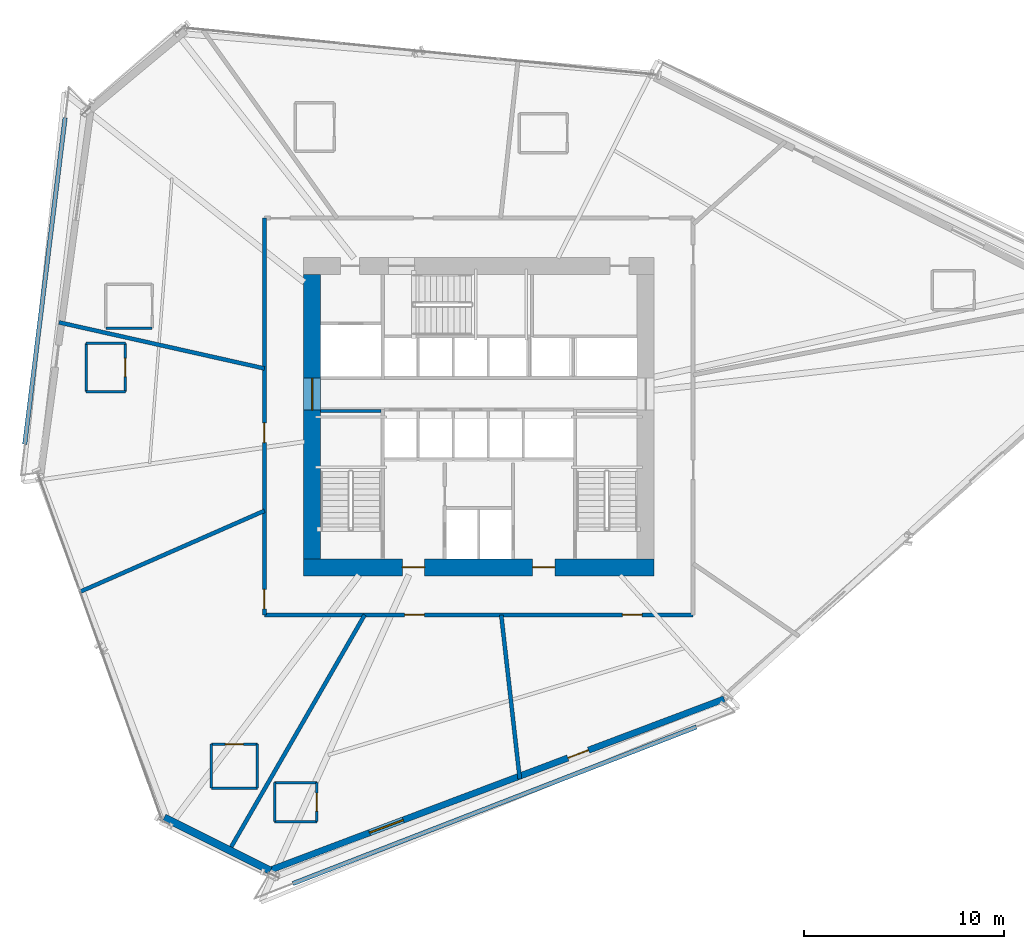
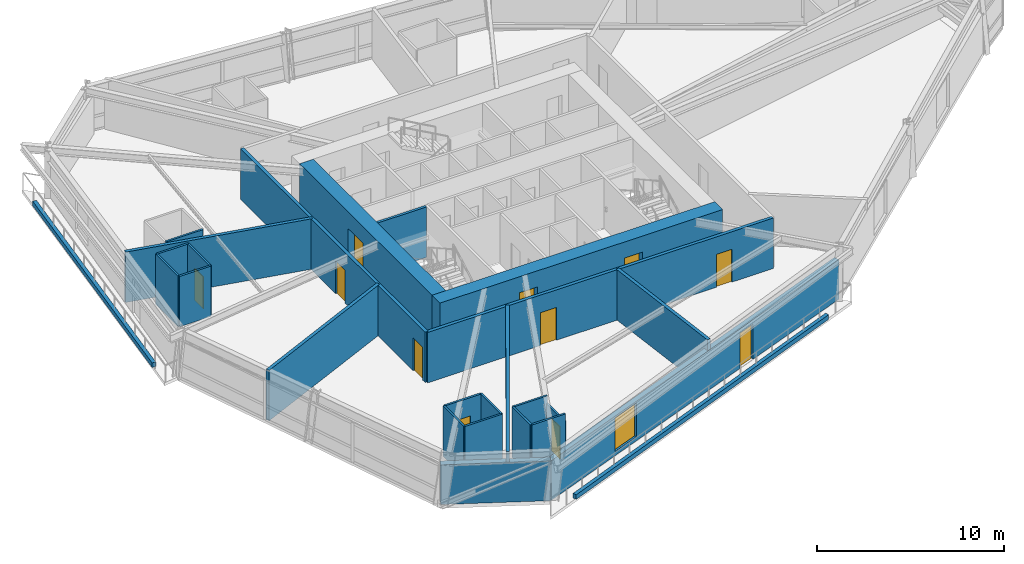
# One storey, part 17 of 24: 26 walls, 11 doors, 1 window, 12 openings.
"""IFC4 building model written with IfcOpenShell, lengths in metres."""

from ifc_helpers import new_model, si_unit, direction, frame, frame_2d, origin, place, context, subcontext, project, spatial, rectangle, extrude, source, transform, mapped, material, layer, layer_set, type_object, type_shapes, element, fill, save


model = new_model("IFC4")

# Units and contexts
model_context = context("Model", 3, precision=1e-05, world=origin(), true_north=direction((0.0, 1.0)))
body_context = subcontext(model_context, "Body", "Model", "MODEL_VIEW")
ifc_project = project(units=[si_unit("LENGTHUNIT", "METRE"), si_unit("AREAUNIT", "SQUARE_METRE"), si_unit("VOLUMEUNIT", "CUBIC_METRE"), si_unit("PLANEANGLEUNIT", "RADIAN"), si_unit("MASSUNIT", "GRAM", prefix="KILO")], contexts=[model_context])

# Site, building, storey
site_placement = place(None, origin())
site = spatial("IfcSite", under=ifc_project, at=site_placement, CompositionType="ELEMENT")
building_placement = place(site_placement, origin())
building = spatial("IfcBuilding", under=site, at=building_placement, Name="Olszyna Solenne Hotel", CompositionType="ELEMENT")
storey_placement = place(building_placement, frame((0.0, 0.0, 64.800048828125)))
storey = spatial("IfcBuildingStorey", under=building, at=storey_placement, Name="L16", CompositionType="ELEMENT", Elevation=64.800048828125)

# Wall, openings, doors
ifc_material_1 = material(Name="Concrete C60/75", Category="concrete")
ifc_layer_1 = layer(ifc_material_1, 0.85009765625, Name="Concrete C60/75")
ifc_layer_set_1 = layer_set([ifc_layer_1], Name="Concrete C60/75")
wall_type_1 = type_object("IfcWallType", Name="WL-CR850", PredefinedType="SHEAR", material=ifc_layer_set_1)
wall_1_placement = place(storey_placement, frame((46.75, 19.074951171875, 0.0), z_axis=(0.0, 0.0, 1.0), x_axis=(-1.0, 0.0, 0.0)))
wall_1 = element("IfcWall", 1, at=wall_1_placement, inside=storey, type_object=wall_type_1, Name="Core shear wall WL-CR850 CRW-L16-S", PredefinedType="SHEAR", context=body_context, shape_type="SweptSolid", body=[
    extrude(rectangle(XDim=17.5, YDim=0.85009765625, at=frame_2d((8.75, 0.0))), origin(), (0.0, 0.0, 1.0), 3.300048828125),
])
opening_1_placement = place(wall_1_placement, frame((4.949951171875, 0.0, 0.0)))
opening_1 = element("IfcOpeningElement", 2, at=opening_1_placement, cuts=wall_1, Name="Opening FL-L16-1", PredefinedType="OPENING", context=body_context, shape_type="SweptSolid", body=[
    extrude(rectangle(XDim=1.1201171875, YDim=2.25, at=frame_2d((0.56005859375, 1.125))), frame((0.0, 0.43505859375, 0.0), z_axis=(0.0, -1.0, 0.0), x_axis=(1.0, 0.0, 0.0)), (0.0, 0.0, 1.0), 0.8701171875),
])
opening_2_placement = place(wall_1_placement, frame((11.449951171875, 0.0, 0.0)))
opening_2 = element("IfcOpeningElement", 3, at=opening_2_placement, cuts=wall_1, Name="Opening FL-L16-2", PredefinedType="OPENING", context=body_context, shape_type="SweptSolid", body=[
    extrude(rectangle(XDim=1.1201171875, YDim=2.25, at=frame_2d((0.56005859375, 1.125))), frame((0.0, 0.43505859375, 0.0), z_axis=(0.0, -1.0, 0.0), x_axis=(1.0, 0.0, 0.0)), (0.0, 0.0, 1.0), 0.8701171875),
])
ifc_material_2 = material(Name="Steel S355J2", Category="steel")
door_type_1 = type_object("IfcDoorType", Name="DR-FL1", OperationType="NOTDEFINED", PredefinedType="DOOR", material=ifc_material_2)
shared_shape_1 = source(origin(), body_context, "Body", "SweptSolid", [
    extrude(rectangle(XDim=1.1201171875, YDim=2.25, at=frame_2d((0.56005859375, 1.125))), frame((0.0, 0.02490234375, 0.0), z_axis=(0.0, -1.0, 0.0), x_axis=(1.0, 0.0, 0.0)), (0.0, 0.0, 1.0), 0.050048828125),
])
type_shapes(door_type_1, [shared_shape_1])
door_1_placement = place(opening_1_placement, origin())
door_1 = element("IfcDoor", 4, at=door_1_placement, inside=storey, type_object=door_type_1, Name="Firefighting lift lobby smoke door FL-L16-1", OperationType="SINGLE_SWING_LEFT", OverallHeight=2.25, OverallWidth=1.1201171875, PredefinedType="DOOR", context=body_context, shape_type="MappedRepresentation", body=[
    mapped(shared_shape_1, transform((0.0, 0.0, 0.0), x_axis=(1.0, 0.0, 0.0), y_axis=(0.0, 1.0, 0.0), z_axis=(0.0, 0.0, 1.0), scale=1.0)),
])
fill(opening_1, door_1)
door_2_placement = place(opening_2_placement, origin())
door_2 = element("IfcDoor", 5, at=door_2_placement, inside=storey, type_object=door_type_1, Name="Firefighting lift lobby smoke door FL-L16-2", OperationType="SINGLE_SWING_RIGHT", OverallHeight=2.25, OverallWidth=1.1201171875, PredefinedType="DOOR", context=body_context, shape_type="MappedRepresentation", body=[
    mapped(shared_shape_1, transform((0.0, 0.0, 0.0), x_axis=(1.0, 0.0, 0.0), y_axis=(0.0, 1.0, 0.0), z_axis=(0.0, 0.0, 1.0), scale=1.0)),
])
fill(opening_2, door_2)

# Wall, opening, door
wall_2_placement = place(storey_placement, frame((29.675048828125, 19.5, 0.0), z_axis=(0.0, 0.0, 1.0), x_axis=(0.0, 1.0, 0.0)))
wall_2 = element("IfcWall", 6, at=wall_2_placement, inside=storey, type_object=wall_type_1, Name="Core shear wall WL-CR850 CRW-L16-W", PredefinedType="SHEAR", context=body_context, shape_type="SweptSolid", body=[
    extrude(rectangle(XDim=14.199951171875, YDim=0.85009765625, at=frame_2d((7.10009765625, 0.0))), origin(), (0.0, 0.0, 1.0), 3.300048828125),
])
opening_3_placement = place(wall_2_placement, frame((7.419921875, 0.0, 0.0)))
opening_3 = element("IfcOpeningElement", 7, at=opening_3_placement, cuts=wall_2, Name="Opening LHD-L16-W", PredefinedType="OPENING", context=body_context, shape_type="SweptSolid", body=[
    extrude(rectangle(XDim=1.60009765625, YDim=2.199951171875, at=frame_2d((0.800048828125, 1.10009765625))), frame((0.0, 0.43505859375, 0.0), z_axis=(0.0, -1.0, 0.0), x_axis=(1.0, 0.0, 0.0)), (0.0, 0.0, 1.0), 0.8701171875),
])
ifc_material_3 = material(Name="Timber hardwood", Category="wood")
door_type_2 = type_object("IfcDoorType", Name="DR-CR1", OperationType="DOUBLE_DOOR_SINGLE_SWING", PredefinedType="DOOR", material=ifc_material_3)
shared_shape_2 = source(origin(), body_context, "Body", "SweptSolid", [
    extrude(rectangle(XDim=1.60009765625, YDim=2.199951171875, at=frame_2d((0.800048828125, 1.10009765625))), frame((0.0, 0.02490234375, 0.0), z_axis=(0.0, -1.0, 0.0), x_axis=(1.0, 0.0, 0.0)), (0.0, 0.0, 1.0), 0.050048828125),
])
type_shapes(door_type_2, [shared_shape_2])
door_3_placement = place(opening_3_placement, origin())
door_3 = element("IfcDoor", 8, at=door_3_placement, inside=storey, type_object=door_type_2, Name="Passenger lift lobby West fire door LHD-L16-W", OperationType="DOUBLE_DOOR_SINGLE_SWING", OverallHeight=2.199951171875, OverallWidth=1.60009765625, PredefinedType="DOOR", context=body_context, shape_type="MappedRepresentation", body=[
    mapped(shared_shape_2, transform((0.0, 0.0, 0.0), x_axis=(1.0, 0.0, 0.0), y_axis=(0.0, 1.0, 0.0), z_axis=(0.0, 0.0, 1.0), scale=1.0)),
])
fill(opening_3, door_3)

# Wall, openings, door, window
ifc_material_4 = material(Name="Precast concrete C45/55", Category="concrete")
ifc_layer_2 = layer(ifc_material_4, 0.320068359375, Name="Precast concrete C45/55")
ifc_layer_set_2 = layer_set([ifc_layer_2], Name="Precast concrete C45/55")
wall_type_2 = type_object("IfcWallType", Name="WL-EX320", PredefinedType="SOLIDWALL", material=ifc_layer_set_2)
wall_3_placement = place(storey_placement, frame((50.2490234375, 12.503173828125, 0.0), z_axis=(0.0, 0.0, 1.0), x_axis=(-0.935754406197, -0.352652366054, 0.0)))
wall_3 = element("IfcWall", 9, at=wall_3_placement, inside=storey, type_object=wall_type_2, Name="Exterior terracotta-precast frame wall WL-EX320 EW-L16-01", PredefinedType="SOLIDWALL", context=body_context, shape_type="SweptSolid", body=[
    extrude(rectangle(XDim=24.3515625, YDim=0.320068359375, at=frame_2d((12.17578125, 0.0))), origin(), (0.0, 0.0, 1.0), 2.592041015625),
])
opening_4_placement = place(wall_3_placement, frame((7.241943359375, 0.0, 0.0)))
opening_4 = element("IfcOpeningElement", 10, at=opening_4_placement, cuts=wall_3, Name="Opening LDG-L16-3", PredefinedType="OPENING", context=body_context, shape_type="SweptSolid", body=[
    extrude(rectangle(XDim=1.10009765625, YDim=2.300048828125, at=frame_2d((0.550048828125, 1.14990234375))), frame((0.0, 0.169921875, 0.0), z_axis=(0.0, -1.0, 0.0), x_axis=(1.0, 0.0, 0.0)), (0.0, 0.0, 1.0), 0.340087890625),
])
opening_5_placement = place(wall_3_placement, frame((17.1201171875, 0.0, 0.27197265625)))
opening_5 = element("IfcOpeningElement", 11, at=opening_5_placement, cuts=wall_3, Name="Opening WN-L16-074", PredefinedType="OPENING", context=body_context, shape_type="SweptSolid", body=[
    extrude(rectangle(XDim=1.800048828125, YDim=2.199951171875, at=frame_2d((0.89990234375, 1.10009765625))), frame((0.0, 0.169921875, 0.0), z_axis=(0.0, -1.0, 0.0), x_axis=(1.0, 0.0, 0.0)), (0.0, 0.0, 1.0), 0.340087890625),
])
ifc_material_5 = material(Name="Anodised bronze aluminium", Category="aluminium")
door_type_3 = type_object("IfcDoorType", Name="DR-LG1", OperationType="NOTDEFINED", PredefinedType="DOOR", material=ifc_material_5)
shared_shape_3 = source(origin(), body_context, "Body", "SweptSolid", [
    extrude(rectangle(XDim=1.10009765625, YDim=2.300048828125, at=frame_2d((0.550048828125, 1.14990234375))), frame((0.0, 0.02490234375, 0.0), z_axis=(0.0, -1.0, 0.0), x_axis=(1.0, 0.0, 0.0)), (0.0, 0.0, 1.0), 0.050048828125),
])
type_shapes(door_type_3, [shared_shape_3])
door_4_placement = place(opening_4_placement, origin())
door_4 = element("IfcDoor", 12, at=door_4_placement, inside=storey, type_object=door_type_3, Name="Exterior loggia balcony door DR-LG1 LDG-L16-3", OperationType="SINGLE_SWING_RIGHT", OverallHeight=2.300048828125, OverallWidth=1.10009765625, PredefinedType="DOOR", context=body_context, shape_type="MappedRepresentation", body=[
    mapped(shared_shape_3, transform((0.0, 0.0, 0.0), x_axis=(1.0, 0.0, 0.0), y_axis=(0.0, 1.0, 0.0), z_axis=(0.0, 0.0, 1.0), scale=1.0)),
])
fill(opening_4, door_4)
ifc_material_6 = material(Name="Low-E triple glazing", Category="glass")
window_type = type_object("IfcWindowType", Name="WN-HT1", PartitioningType="SINGLE_PANEL", PredefinedType="WINDOW", material=ifc_material_6)
shared_shape_4 = source(origin(), body_context, "Body", "SweptSolid", [
    extrude(rectangle(XDim=1.800048828125, YDim=2.199951171875, at=frame_2d((0.89990234375, 1.10009765625))), frame((0.0, 0.030029296875, 0.0), z_axis=(0.0, -1.0, 0.0), x_axis=(1.0, 0.0, 0.0)), (0.0, 0.0, 1.0), 0.06005859375),
])
type_shapes(window_type, [shared_shape_4])
window_placement = place(opening_5_placement, origin())
window = element("IfcWindow", 13, at=window_placement, inside=storey, type_object=window_type, Name="Loggia room window WN-HT1 WN-L16-074", OverallHeight=2.199951171875, OverallWidth=1.800048828125, PartitioningType="SINGLE_PANEL", PredefinedType="WINDOW", context=body_context, shape_type="MappedRepresentation", body=[
    mapped(shared_shape_4, transform((0.0, 0.0, 0.0), x_axis=(1.0, 0.0, 0.0), y_axis=(0.0, 1.0, 0.0), z_axis=(0.0, 0.0, 1.0), scale=1.0)),
])
fill(opening_5, window)

# Walls
ifc_material_7 = material(Name="Terracotta cladding on precast concrete C45/55", Category="masonry")
ifc_layer_3 = layer(ifc_material_7, 0.3798828125, Name="Terracotta cladding on precast concrete C45/55")
ifc_layer_set_3 = layer_set([ifc_layer_3], Name="Terracotta cladding on precast concrete C45/55")
wall_type_3 = type_object("IfcWallType", Name="WL-EX380", PredefinedType="SOLIDWALL", material=ifc_layer_set_3)
wall_4_placement = place(storey_placement, frame((27.603271484375, 3.935791015625, 0.0), z_axis=(0.0, 0.0, 1.0), x_axis=(-0.894929094808, 0.446208376508, 0.0)))
element("IfcWall", 14, at=wall_4_placement, inside=storey, type_object=wall_type_3, Name="Exterior terracotta-precast frame wall WL-EX380 EW-L16-02", PredefinedType="SOLIDWALL", context=body_context, shape_type="SweptSolid", body=[
    extrude(rectangle(XDim=5.927734375, YDim=0.3798828125, at=frame_2d((2.9638671875, 0.0))), origin(), (0.0, 0.0, 1.0), 2.592041015625),
])
ifc_layer_4 = layer(ifc_material_4, 0.219970703125, Name="Precast concrete C45/55")
ifc_layer_set_4 = layer_set([ifc_layer_4], Name="Precast concrete C45/55")
wall_type_4 = type_object("IfcWallType", Name="WL-PR220", PredefinedType="PARAPET", material=ifc_layer_set_4)
wall_5_placement = place(storey_placement, frame((17.3505859375, 41.511962890625, 0.0), z_axis=(0.0, 0.0, 1.0), x_axis=(-0.122727522737, -0.992440403834, 0.0)))
element("IfcWall", 15, at=wall_5_placement, inside=storey, type_object=wall_type_4, Name="Loggia balcony precast kerb PR-L16-LG2", PredefinedType="PARAPET", context=body_context, shape_type="SweptSolid", body=[
    extrude(rectangle(XDim=16.41357421875, YDim=0.219970703125, at=frame_2d((8.206787109375, 0.0))), origin(), (0.0, 0.0, 1.0), 0.300048828125),
])
wall_6_placement = place(storey_placement, frame((28.71435546875, 3.290283203125, 0.0), z_axis=(0.0, 0.0, 1.0), x_axis=(0.932244858771, 0.361828030003, 0.0)))
element("IfcWall", 16, at=wall_6_placement, inside=storey, type_object=wall_type_4, Name="Loggia balcony precast kerb PR-L16-LG3", PredefinedType="PARAPET", context=body_context, shape_type="SweptSolid", body=[
    extrude(rectangle(XDim=21.61328125, YDim=0.219970703125, at=frame_2d((10.806640625, 0.0))), origin(), (0.0, 0.0, 1.0), 0.300048828125),
])
ifc_material_8 = material(Name="Acoustic gypsum partition", Category="gypsum")
ifc_layer_5 = layer(ifc_material_8, 0.125, Name="Acoustic gypsum partition")
ifc_layer_set_5 = layer_set([ifc_layer_5], Name="Acoustic gypsum partition")
wall_type_5 = type_object("IfcWallType", Name="WL-PT125", PredefinedType="PARTITIONING", material=ifc_layer_set_5)
wall_7_placement = place(storey_placement, frame((19.39111328125, 31.010009765625, 0.0), z_axis=(0.0, 0.0, 1.0), x_axis=(1.0, 0.0, 0.0)))
element("IfcWall", 17, at=wall_7_placement, inside=storey, type_object=wall_type_5, Name="Interior acoustic partition WL-PT125 PW-L16-0923", PredefinedType="PARTITIONING", context=body_context, shape_type="SweptSolid", body=[
    extrude(rectangle(XDim=2.2998046875, YDim=0.125, at=frame_2d((1.14990234375, 0.0))), origin(), (0.0, 0.0, 1.0), 3.300048828125),
])

# Wall, opening, door
wall_8_placement = place(storey_placement, frame((20.35498046875, 27.84912109375, 0.0), z_axis=(0.0, 0.0, 1.0), x_axis=(0.0, 1.0, 0.0)))
wall_8 = element("IfcWall", 18, at=wall_8_placement, inside=storey, type_object=wall_type_5, Name="Interior acoustic partition WL-PT125 PW-L16-0924", PredefinedType="PARTITIONING", context=body_context, shape_type="SweptSolid", body=[
    extrude(rectangle(XDim=2.39990234375, YDim=0.125, at=frame_2d((1.199951171875, 0.0))), origin(), (0.0, 0.0, 1.0), 3.300048828125),
])
opening_6_placement = place(wall_8_placement, frame((0.75, 0.0, 0.0)))
opening_6 = element("IfcOpeningElement", 19, at=opening_6_placement, cuts=wall_8, Name="Opening DR-L16-0207", PredefinedType="OPENING", context=body_context, shape_type="SweptSolid", body=[
    extrude(rectangle(XDim=0.89990234375, YDim=2.10009765625, at=frame_2d((0.449951171875, 1.050048828125))), frame((0.0, 0.072509765625, 0.0), z_axis=(0.0, -1.0, 0.0), x_axis=(1.0, 0.0, 0.0)), (0.0, 0.0, 1.0), 0.14501953125),
])
door_type_4 = type_object("IfcDoorType", Name="DR-WC1", OperationType="NOTDEFINED", PredefinedType="DOOR", material=ifc_material_3)
shared_shape_5 = source(origin(), body_context, "Body", "SweptSolid", [
    extrude(rectangle(XDim=0.89990234375, YDim=2.10009765625, at=frame_2d((0.449951171875, 1.050048828125))), frame((0.0, 0.02490234375, 0.0), z_axis=(0.0, -1.0, 0.0), x_axis=(1.0, 0.0, 0.0)), (0.0, 0.0, 1.0), 0.050048828125),
])
type_shapes(door_type_4, [shared_shape_5])
door_5_placement = place(opening_6_placement, origin())
door_5 = element("IfcDoor", 20, at=door_5_placement, inside=storey, type_object=door_type_4, Name="En-Suite Bathroom Door DR-L16-0207", OperationType="SINGLE_SWING_LEFT", OverallHeight=2.10009765625, OverallWidth=0.89990234375, PredefinedType="DOOR", context=body_context, shape_type="MappedRepresentation", body=[
    mapped(shared_shape_5, transform((0.0, 0.0, 0.0), x_axis=(1.0, 0.0, 0.0), y_axis=(0.0, 1.0, 0.0), z_axis=(0.0, 0.0, 1.0), scale=1.0)),
])
fill(opening_6, door_5)

# Walls
wall_9_placement = place(storey_placement, frame((20.35498046875, 30.2490234375, 0.0), z_axis=(0.0, 0.0, 1.0), x_axis=(-1.0, 0.0, 0.0)))
element("IfcWall", 21, at=wall_9_placement, inside=storey, type_object=wall_type_5, Name="Interior acoustic partition WL-PT125 PW-L16-0925", PredefinedType="PARTITIONING", context=body_context, shape_type="SweptSolid", body=[
    extrude(rectangle(XDim=1.949951171875, YDim=0.125, at=frame_2d((0.97509765625, 0.0))), origin(), (0.0, 0.0, 1.0), 3.300048828125),
])
wall_10_placement = place(storey_placement, frame((18.405029296875, 30.2490234375, 0.0), z_axis=(0.0, 0.0, 1.0), x_axis=(0.0, -1.0, 0.0)))
element("IfcWall", 22, at=wall_10_placement, inside=storey, type_object=wall_type_5, Name="Interior acoustic partition WL-PT125 PW-L16-0926", PredefinedType="PARTITIONING", context=body_context, shape_type="SweptSolid", body=[
    extrude(rectangle(XDim=2.39990234375, YDim=0.125, at=frame_2d((1.199951171875, 0.0))), origin(), (0.0, 0.0, 1.0), 3.300048828125),
])
wall_11_placement = place(storey_placement, frame((18.405029296875, 27.84912109375, 0.0), z_axis=(0.0, 0.0, 1.0), x_axis=(1.0, 0.0, 0.0)))
element("IfcWall", 23, at=wall_11_placement, inside=storey, type_object=wall_type_5, Name="Interior acoustic partition WL-PT125 PW-L16-0927", PredefinedType="PARTITIONING", context=body_context, shape_type="SweptSolid", body=[
    extrude(rectangle(XDim=1.949951171875, YDim=0.125, at=frame_2d((0.97509765625, 0.0))), origin(), (0.0, 0.0, 1.0), 3.300048828125),
])
wall_12_placement = place(storey_placement, frame((26.950927734375, 8.052001953125, 0.0), z_axis=(0.0, 0.0, 1.0), x_axis=(0.0, 1.0, 0.0)))
element("IfcWall", 24, at=wall_12_placement, inside=storey, type_object=wall_type_5, Name="Interior acoustic partition WL-PT125 PW-L16-0928", PredefinedType="PARTITIONING", context=body_context, shape_type="SweptSolid", body=[
    extrude(rectangle(XDim=2.199951171875, YDim=0.125, at=frame_2d((1.10009765625, 0.0))), origin(), (0.0, 0.0, 1.0), 3.300048828125),
])

# Wall, opening, door
wall_13_placement = place(storey_placement, frame((26.950927734375, 10.251953125, 0.0), z_axis=(0.0, 0.0, 1.0), x_axis=(-1.0, 0.0, 0.0)))
wall_13 = element("IfcWall", 25, at=wall_13_placement, inside=storey, type_object=wall_type_5, Name="Interior acoustic partition WL-PT125 PW-L16-0929", PredefinedType="PARTITIONING", context=body_context, shape_type="SweptSolid", body=[
    extrude(rectangle(XDim=2.300048828125, YDim=0.125, at=frame_2d((1.14990234375, 0.0))), origin(), (0.0, 0.0, 1.0), 3.300048828125),
])
opening_7_placement = place(wall_13_placement, frame((0.699951171875, 0.0, 0.0)))
opening_7 = element("IfcOpeningElement", 26, at=opening_7_placement, cuts=wall_13, Name="Opening DR-L16-0208", PredefinedType="OPENING", context=body_context, shape_type="SweptSolid", body=[
    extrude(rectangle(XDim=0.89990234375, YDim=2.10009765625, at=frame_2d((0.449951171875, 1.050048828125))), frame((0.0, 0.072509765625, 0.0), z_axis=(0.0, -1.0, 0.0), x_axis=(1.0, 0.0, 0.0)), (0.0, 0.0, 1.0), 0.14501953125),
])
door_6_placement = place(opening_7_placement, origin())
door_6 = element("IfcDoor", 27, at=door_6_placement, inside=storey, type_object=door_type_4, Name="En-Suite Bathroom Door DR-L16-0208", OperationType="SINGLE_SWING_RIGHT", OverallHeight=2.10009765625, OverallWidth=0.89990234375, PredefinedType="DOOR", context=body_context, shape_type="MappedRepresentation", body=[
    mapped(shared_shape_5, transform((0.0, 0.0, 0.0), x_axis=(1.0, 0.0, 0.0), y_axis=(0.0, 1.0, 0.0), z_axis=(0.0, 0.0, 1.0), scale=1.0)),
])
fill(opening_7, door_6)

# Walls
wall_14_placement = place(storey_placement, frame((24.65087890625, 10.251953125, 0.0), z_axis=(0.0, 0.0, 1.0), x_axis=(0.0, -1.0, 0.0)))
element("IfcWall", 28, at=wall_14_placement, inside=storey, type_object=wall_type_5, Name="Interior acoustic partition WL-PT125 PW-L16-0930", PredefinedType="PARTITIONING", context=body_context, shape_type="SweptSolid", body=[
    extrude(rectangle(XDim=2.199951171875, YDim=0.125, at=frame_2d((1.10009765625, 0.0))), origin(), (0.0, 0.0, 1.0), 3.300048828125),
])
wall_15_placement = place(storey_placement, frame((24.65087890625, 8.052001953125, 0.0), z_axis=(0.0, 0.0, 1.0), x_axis=(1.0, 0.0, 0.0)))
element("IfcWall", 29, at=wall_15_placement, inside=storey, type_object=wall_type_5, Name="Interior acoustic partition WL-PT125 PW-L16-0931", PredefinedType="PARTITIONING", context=body_context, shape_type="SweptSolid", body=[
    extrude(rectangle(XDim=2.300048828125, YDim=0.125, at=frame_2d((1.14990234375, 0.0))), origin(), (0.0, 0.0, 1.0), 3.300048828125),
])

# Wall, opening, door
wall_16_placement = place(storey_placement, frame((29.910888671875, 6.37890625, 0.0), z_axis=(0.0, 0.0, 1.0), x_axis=(0.0, 1.0, 0.0)))
wall_16 = element("IfcWall", 30, at=wall_16_placement, inside=storey, type_object=wall_type_5, Name="Interior acoustic partition WL-PT125 PW-L16-0932", PredefinedType="PARTITIONING", context=body_context, shape_type="SweptSolid", body=[
    extrude(rectangle(XDim=1.9501953125, YDim=0.125, at=frame_2d((0.97509765625, 0.0))), origin(), (0.0, 0.0, 1.0), 2.794921875),
])
opening_8_placement = place(wall_16_placement, frame((0.52490234375, 0.0, 0.0)))
opening_8 = element("IfcOpeningElement", 31, at=opening_8_placement, cuts=wall_16, Name="Opening DR-L16-0209", PredefinedType="OPENING", context=body_context, shape_type="SweptSolid", body=[
    extrude(rectangle(XDim=0.89990234375, YDim=2.10009765625, at=frame_2d((0.449951171875, 1.050048828125))), frame((0.0, 0.072509765625, 0.0), z_axis=(0.0, -1.0, 0.0), x_axis=(1.0, 0.0, 0.0)), (0.0, 0.0, 1.0), 0.14501953125),
])
door_7_placement = place(opening_8_placement, origin())
door_7 = element("IfcDoor", 32, at=door_7_placement, inside=storey, type_object=door_type_4, Name="En-Suite Bathroom Door DR-L16-0209", OperationType="SINGLE_SWING_LEFT", OverallHeight=2.10009765625, OverallWidth=0.89990234375, PredefinedType="DOOR", context=body_context, shape_type="MappedRepresentation", body=[
    mapped(shared_shape_5, transform((0.0, 0.0, 0.0), x_axis=(1.0, 0.0, 0.0), y_axis=(0.0, 1.0, 0.0), z_axis=(0.0, 0.0, 1.0), scale=1.0)),
])
fill(opening_8, door_7)

# Walls
wall_17_placement = place(storey_placement, frame((29.910888671875, 8.3291015625, 0.0), z_axis=(0.0, 0.0, 1.0), x_axis=(-1.0, 0.0, 0.0)))
element("IfcWall", 33, at=wall_17_placement, inside=storey, type_object=wall_type_5, Name="Interior acoustic partition WL-PT125 PW-L16-0933", PredefinedType="PARTITIONING", context=body_context, shape_type="SweptSolid", body=[
    extrude(rectangle(XDim=2.099853515625, YDim=0.125, at=frame_2d((1.0498046875, 0.0))), origin(), (0.0, 0.0, 1.0), 3.300048828125),
])
wall_18_placement = place(storey_placement, frame((27.81103515625, 8.3291015625, 0.0), z_axis=(0.0, 0.0, 1.0), x_axis=(0.0, -1.0, 0.0)))
element("IfcWall", 34, at=wall_18_placement, inside=storey, type_object=wall_type_5, Name="Interior acoustic partition WL-PT125 PW-L16-0934", PredefinedType="PARTITIONING", context=body_context, shape_type="SweptSolid", body=[
    extrude(rectangle(XDim=1.9501953125, YDim=0.125, at=frame_2d((0.97509765625, 0.0))), origin(), (0.0, 0.0, 1.0), 3.300048828125),
])
wall_19_placement = place(storey_placement, frame((27.81103515625, 6.37890625, 0.0), z_axis=(0.0, 0.0, 1.0), x_axis=(1.0, 0.0, 0.0)))
element("IfcWall", 35, at=wall_19_placement, inside=storey, type_object=wall_type_5, Name="Interior acoustic partition WL-PT125 PW-L16-0935", PredefinedType="PARTITIONING", context=body_context, shape_type="SweptSolid", body=[
    extrude(rectangle(XDim=2.099853515625, YDim=0.125, at=frame_2d((1.0498046875, 0.0))), origin(), (0.0, 0.0, 1.0), 3.300048828125),
])
ifc_layer_6 = layer(ifc_material_8, 0.159912109375, Name="Acoustic gypsum partition")
ifc_layer_set_6 = layer_set([ifc_layer_6], Name="Acoustic gypsum partition")
wall_type_6 = type_object("IfcWallType", Name="WL-PT160", PredefinedType="PARTITIONING", material=ifc_layer_set_6)
wall_20_placement = place(storey_placement, frame((30.10009765625, 26.8798828125, 0.0), z_axis=(0.0, 0.0, 1.0), x_axis=(1.0, 0.0, 0.0)))
element("IfcWall", 36, at=wall_20_placement, inside=storey, type_object=wall_type_6, Name="Core shaft compartment wall CW-L16-ST1N", PredefinedType="PARTITIONING", context=body_context, shape_type="SweptSolid", body=[
    extrude(rectangle(XDim=3.02001953125, YDim=0.159912109375, at=frame_2d((1.510009765625, 0.0))), origin(), (0.0, 0.0, 1.0), 3.300048828125),
])
ifc_layer_7 = layer(ifc_material_8, 0.199951171875, Name="Acoustic gypsum partition")
ifc_layer_set_7 = layer_set([ifc_layer_7], Name="Acoustic gypsum partition")
wall_type_7 = type_object("IfcWallType", Name="WL-PT200", PredefinedType="PARTITIONING", material=ifc_layer_set_7)
wall_21_placement = place(storey_placement, frame((27.300048828125, 29.00048828125, 0.0), z_axis=(0.0, 0.0, 1.0), x_axis=(-0.975741680271, 0.218925040554, 0.0)))
element("IfcWall", 37, at=wall_21_placement, inside=storey, type_object=wall_type_7, Name="Interior acoustic partition WL-PT200 PW-L16-0906", PredefinedType="PARTITIONING", context=body_context, shape_type="SweptSolid", body=[
    extrude(rectangle(XDim=10.50830078125, YDim=0.199951171875, at=frame_2d((5.254150390625, 0.0))), origin(), (0.0, 0.0, 1.0), 3.300048828125),
])
wall_22_placement = place(storey_placement, frame((27.300048828125, 21.89892578125, 0.0), z_axis=(0.0, 0.0, 1.0), x_axis=(-0.915540001972, -0.402226931955, 0.0)))
element("IfcWall", 38, at=wall_22_placement, inside=storey, type_object=wall_type_7, Name="Interior acoustic partition WL-PT200 PW-L16-0907", PredefinedType="PARTITIONING", context=body_context, shape_type="SweptSolid", body=[
    extrude(rectangle(XDim=10.0107421875, YDim=0.199951171875, at=frame_2d((5.00537109375, 0.0))), origin(), (0.0, 0.0, 1.0), 3.300048828125),
])
wall_23_placement = place(storey_placement, frame((32.302978515625, 16.699951171875, 0.0), z_axis=(0.0, 0.0, 1.0), x_axis=(-0.498759278796, -0.866740550462, 0.0)))
element("IfcWall", 39, at=wall_23_placement, inside=storey, type_object=wall_type_7, Name="Interior acoustic partition WL-PT200 PW-L16-0908", PredefinedType="PARTITIONING", context=body_context, shape_type="SweptSolid", body=[
    extrude(rectangle(XDim=13.704345703125, YDim=0.199951171875, at=frame_2d((6.85205078125, 0.0))), origin(), (0.0, 0.0, 1.0), 3.300048828125),
])
wall_24_placement = place(storey_placement, frame((39.118408203125, 16.699951171875, 0.0), z_axis=(0.0, 0.0, 1.0), x_axis=(0.112253711385, -0.993679578275, 0.0)))
element("IfcWall", 40, at=wall_24_placement, inside=storey, type_object=wall_type_7, Name="Interior acoustic partition WL-PT200 PW-L16-0909", PredefinedType="PARTITIONING", context=body_context, shape_type="SweptSolid", body=[
    extrude(rectangle(XDim=8.234130859375, YDim=0.199951171875, at=frame_2d((4.1171875, 0.0))), origin(), (0.0, 0.0, 1.0), 3.300048828125),
])

# Wall, openings, doors
wall_25_placement = place(storey_placement, frame((27.300048828125, 16.699951171875, 0.0), z_axis=(0.0, 0.0, 1.0), x_axis=(1.0, 0.0, 0.0)))
wall_25 = element("IfcWall", 41, at=wall_25_placement, inside=storey, type_object=wall_type_7, Name="Interior acoustic partition WL-PT200 PW-L16-0940", PredefinedType="PARTITIONING", context=body_context, shape_type="SweptSolid", body=[
    extrude(rectangle(XDim=21.39990234375, YDim=0.199951171875, at=frame_2d((10.699951171875, 0.0))), origin(), (0.0, 0.0, 1.0), 3.300048828125),
])
opening_9_placement = place(wall_25_placement, frame((7.0, 0.0, 0.0)))
opening_9 = element("IfcOpeningElement", 42, at=opening_9_placement, cuts=wall_25, Name="Opening DR-L16-0211", PredefinedType="OPENING", context=body_context, shape_type="SweptSolid", body=[
    extrude(rectangle(XDim=0.97998046875, YDim=2.14990234375, at=frame_2d((0.489990234375, 1.074951171875))), frame((0.0, 0.10986328125, 0.0), z_axis=(0.0, -1.0, 0.0), x_axis=(1.0, 0.0, 0.0)), (0.0, 0.0, 1.0), 0.219970703125),
])
opening_10_placement = place(wall_25_placement, frame((17.867919921875, 0.0, 0.0)))
opening_10 = element("IfcOpeningElement", 43, at=opening_10_placement, cuts=wall_25, Name="Opening DR-L16-0212", PredefinedType="OPENING", context=body_context, shape_type="SweptSolid", body=[
    extrude(rectangle(XDim=0.97998046875, YDim=2.14990234375, at=frame_2d((0.489990234375, 1.074951171875))), frame((0.0, 0.10986328125, 0.0), z_axis=(0.0, -1.0, 0.0), x_axis=(1.0, 0.0, 0.0)), (0.0, 0.0, 1.0), 0.219970703125),
])
door_type_5 = type_object("IfcDoorType", Name="DR-RM1", OperationType="NOTDEFINED", PredefinedType="DOOR", material=ifc_material_3)
shared_shape_6 = source(origin(), body_context, "Body", "SweptSolid", [
    extrude(rectangle(XDim=0.97998046875, YDim=2.14990234375, at=frame_2d((0.489990234375, 1.074951171875))), frame((0.0, 0.02490234375, 0.0), z_axis=(0.0, -1.0, 0.0), x_axis=(1.0, 0.0, 0.0)), (0.0, 0.0, 1.0), 0.050048828125),
])
type_shapes(door_type_5, [shared_shape_6])
door_8_placement = place(opening_9_placement, origin())
door_8 = element("IfcDoor", 44, at=door_8_placement, inside=storey, type_object=door_type_5, Name="Deluxe Hotel Guestroom Entrance Door DR-L16-0211", OperationType="SINGLE_SWING_RIGHT", OverallHeight=2.14990234375, OverallWidth=0.97998046875, PredefinedType="DOOR", context=body_context, shape_type="MappedRepresentation", body=[
    mapped(shared_shape_6, transform((0.0, 0.0, 0.0), x_axis=(1.0, 0.0, 0.0), y_axis=(0.0, 1.0, 0.0), z_axis=(0.0, 0.0, 1.0), scale=1.0)),
])
fill(opening_9, door_8)
door_9_placement = place(opening_10_placement, origin())
door_9 = element("IfcDoor", 45, at=door_9_placement, inside=storey, type_object=door_type_5, Name="Breakfast Tasting Salon Entrance Door DR-L16-0212", OperationType="SINGLE_SWING_LEFT", OverallHeight=2.14990234375, OverallWidth=0.97998046875, PredefinedType="DOOR", context=body_context, shape_type="MappedRepresentation", body=[
    mapped(shared_shape_6, transform((0.0, 0.0, 0.0), x_axis=(1.0, 0.0, 0.0), y_axis=(0.0, 1.0, 0.0), z_axis=(0.0, 0.0, 1.0), scale=1.0)),
])
fill(opening_10, door_9)

wall_26_placement = place(storey_placement, frame((27.300048828125, 16.699951171875, 0.0), z_axis=(0.0, 0.0, 1.0), x_axis=(0.0, 1.0, 0.0)))
wall_26 = element("IfcWall", 46, at=wall_26_placement, inside=storey, type_object=wall_type_7, Name="Interior acoustic partition WL-PT200 PW-L16-0941", PredefinedType="PARTITIONING", context=body_context, shape_type="SweptSolid", body=[
    extrude(rectangle(XDim=19.800048828125, YDim=0.199951171875, at=frame_2d((9.89990234375, 0.0))), origin(), (0.0, 0.0, 1.0), 3.300048828125),
])
opening_11_placement = place(wall_26_placement, frame((8.60400390625, 0.0, 0.0)))
opening_11 = element("IfcOpeningElement", 47, at=opening_11_placement, cuts=wall_26, Name="Opening DR-L16-0213", PredefinedType="OPENING", context=body_context, shape_type="SweptSolid", body=[
    extrude(rectangle(XDim=0.97998046875, YDim=2.14990234375, at=frame_2d((0.489990234375, 1.074951171875))), frame((0.0, 0.10986328125, 0.0), z_axis=(0.0, -1.0, 0.0), x_axis=(1.0, 0.0, 0.0)), (0.0, 0.0, 1.0), 0.219970703125),
])
opening_12_placement = place(wall_26_placement, frame((0.300048828125, 0.0, 0.0)))
opening_12 = element("IfcOpeningElement", 48, at=opening_12_placement, cuts=wall_26, Name="Opening DR-L16-0214", PredefinedType="OPENING", context=body_context, shape_type="SweptSolid", body=[
    extrude(rectangle(XDim=0.97998046875, YDim=2.14990234375, at=frame_2d((0.489990234375, 1.074951171875))), frame((0.0, 0.10986328125, 0.0), z_axis=(0.0, -1.0, 0.0), x_axis=(1.0, 0.0, 0.0)), (0.0, 0.0, 1.0), 0.219970703125),
])
door_10_placement = place(opening_11_placement, origin())
door_10 = element("IfcDoor", 49, at=door_10_placement, inside=storey, type_object=door_type_5, Name="Deluxe Hotel Guestroom Entrance Door DR-L16-0213", OperationType="SINGLE_SWING_RIGHT", OverallHeight=2.14990234375, OverallWidth=0.97998046875, PredefinedType="DOOR", context=body_context, shape_type="MappedRepresentation", body=[
    mapped(shared_shape_6, transform((0.0, 0.0, 0.0), x_axis=(1.0, 0.0, 0.0), y_axis=(0.0, 1.0, 0.0), z_axis=(0.0, 0.0, 1.0), scale=1.0)),
])
fill(opening_11, door_10)
door_11_placement = place(opening_12_placement, origin())
door_11 = element("IfcDoor", 50, at=door_11_placement, inside=storey, type_object=door_type_5, Name="Deluxe Hotel Guestroom Entrance Door DR-L16-0214", OperationType="SINGLE_SWING_LEFT", OverallHeight=2.14990234375, OverallWidth=0.97998046875, PredefinedType="DOOR", context=body_context, shape_type="MappedRepresentation", body=[
    mapped(shared_shape_6, transform((0.0, 0.0, 0.0), x_axis=(1.0, 0.0, 0.0), y_axis=(0.0, 1.0, 0.0), z_axis=(0.0, 0.0, 1.0), scale=1.0)),
])
fill(opening_12, door_11)

save(model, "model.ifc")
